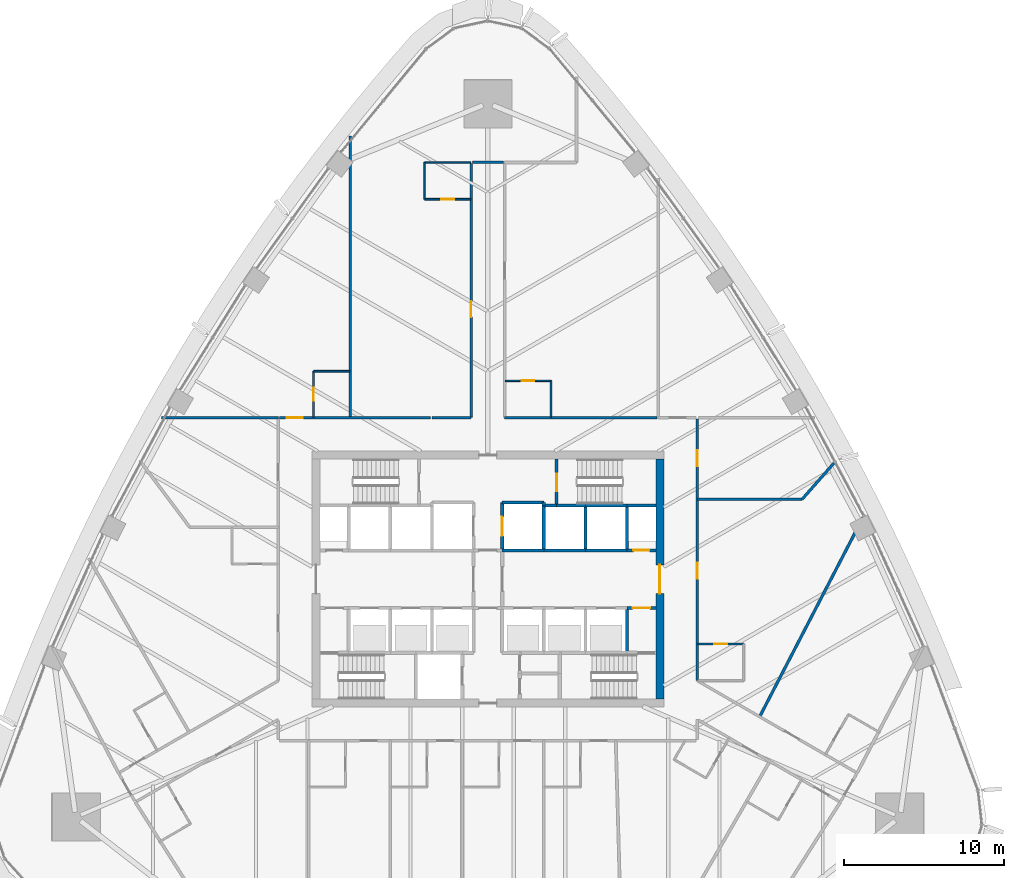
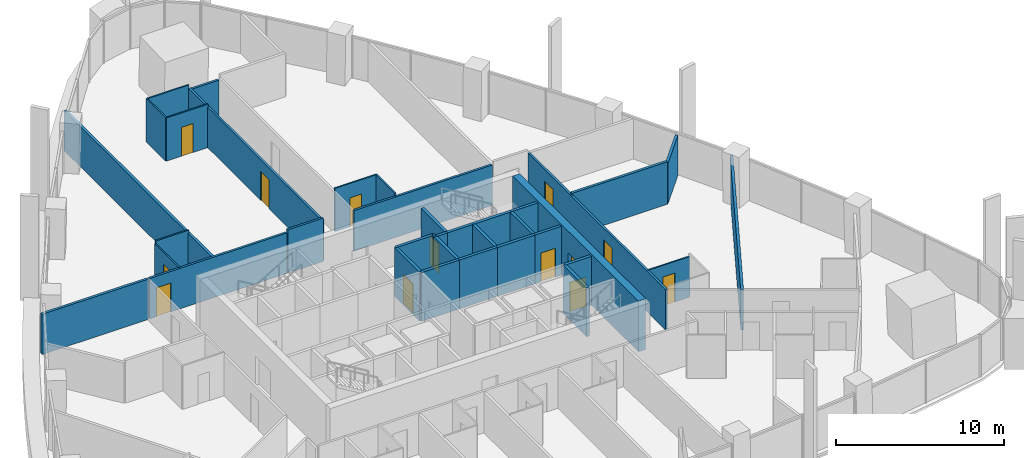
# One storey, part 13 of 22: 37 walls, 13 doors, 13 openings.
"""IFC4 building model written with IfcOpenShell, lengths in metres."""

from ifc_helpers import new_model, si_unit, direction, frame, frame_2d, origin, place, context, subcontext, project, spatial, rectangle, extrude, material, layer, layer_set, type_object, element, fill, save


model = new_model("IFC4")

# Units and contexts
model_context = context("Model", 3, precision=1e-05, world=origin(), true_north=direction((0.0, 1.0)))
body_context = subcontext(model_context, "Body", "Model", "MODEL_VIEW")
ifc_project = project(units=[si_unit("LENGTHUNIT", "METRE"), si_unit("AREAUNIT", "SQUARE_METRE"), si_unit("VOLUMEUNIT", "CUBIC_METRE"), si_unit("PLANEANGLEUNIT", "RADIAN"), si_unit("MASSUNIT", "GRAM", prefix="KILO")], contexts=[model_context])

# Site, building, storey
site_placement = place(None, origin())
site = spatial("IfcSite", under=ifc_project, at=site_placement, CompositionType="ELEMENT")
building_placement = place(site_placement, origin())
building = spatial("IfcBuilding", under=site, at=building_placement, Name="Sierra Prisma Convention Tower", CompositionType="ELEMENT")
storey_placement = place(building_placement, frame((0.0, 0.0, 96.10009765625)))
storey = spatial("IfcBuildingStorey", under=building, at=storey_placement, Name="L20", CompositionType="ELEMENT", Elevation=96.10009765625)

# Wall, opening, door
ifc_material_1 = material(Name="Gypsum board partition", Category="gypsum")
ifc_layer_1 = layer(ifc_material_1, 0.10009765625)
ifc_layer_set_1 = layer_set([ifc_layer_1], Name="Bathroom partition 100")
wall_type_1 = type_object("IfcWallType", Name="Bathroom partition 100", PredefinedType="PARTITIONING", material=ifc_layer_set_1)
wall_1_placement = place(storey_placement, frame((-10.89990234375, 10.1298828125, 0.0), z_axis=(0.0, 0.0, 1.0), x_axis=(0.0, 1.0, 0.0)))
wall_1 = element("IfcWall", 1, at=wall_1_placement, inside=storey, type_object=wall_type_1, Name="Partition L20 bath 9", PredefinedType="PARTITIONING", context=body_context, shape_type="SweptSolid", body=[
    extrude(rectangle(XDim=2.8701171875, YDim=0.10009765625, at=frame_2d((1.43505859375, 0.0))), origin(), (0.0, 0.0, 1.0), 2.947021484375),
])
opening_1_placement = place(wall_1_placement, frame((1.034912109375, 0.0, 0.0)))
opening_1 = element("IfcOpeningElement", 2, at=opening_1_placement, cuts=wall_1, Name="Opening L20-D003", PredefinedType="OPENING", context=body_context, shape_type="SweptSolid", body=[
    extrude(rectangle(XDim=0.800048828125, YDim=2.10009765625, at=frame_2d((0.39990234375, 1.050048828125))), frame((0.0, 0.050048828125, 0.0), z_axis=(0.0, -1.0, 0.0), x_axis=(1.0, 0.0, 0.0)), (0.0, 0.0, 1.0), 0.10009765625),
])
ifc_material_2 = material(Name="Solid core timber door leaf", Category="wood")
door_type_1 = type_object("IfcDoorType", Name="Door 800x2100 plain", OperationType="SINGLE_SWING_LEFT", PredefinedType="DOOR", material=ifc_material_2)
door_1_placement = place(opening_1_placement, origin())
door_1 = element("IfcDoor", 3, at=door_1_placement, inside=storey, type_object=door_type_1, Name="Door L20 8", OperationType="SINGLE_SWING_RIGHT", OverallHeight=2.10009765625, OverallWidth=0.800048828125, PredefinedType="DOOR", context=body_context, shape_type="SweptSolid", body=[
    extrude(rectangle(XDim=0.800048828125, YDim=2.10009765625, at=frame_2d((0.39990234375, 1.050048828125))), frame((0.0, 0.02490234375, 0.0), z_axis=(0.0, -1.0, 0.0), x_axis=(1.0, 0.0, 0.0)), (0.0, 0.0, 1.0), 0.050048828125),
])
fill(opening_1, door_1)

# Wall
wall_2_placement = place(storey_placement, frame((-10.89990234375, 13.0, 0.0), z_axis=(0.0, 0.0, 1.0), x_axis=(1.0, 0.0, 0.0)))
element("IfcWall", 4, at=wall_2_placement, inside=storey, type_object=wall_type_1, Name="Partition L20 bath 10", PredefinedType="PARTITIONING", context=body_context, shape_type="SweptSolid", body=[
    extrude(rectangle(XDim=2.27001953125, YDim=0.10009765625, at=frame_2d((1.135009765625, 0.0))), origin(), (0.0, 0.0, 1.0), 3.14990234375),
])

# Wall, opening, door
wall_3_placement = place(storey_placement, frame((-1.080078125, 23.759033203125, 0.0), z_axis=(0.0, 0.0, 1.0), x_axis=(-1.0, 0.0, 0.0)))
wall_3 = element("IfcWall", 5, at=wall_3_placement, inside=storey, type_object=wall_type_1, Name="Partition L20 bath 15", PredefinedType="PARTITIONING", context=body_context, shape_type="SweptSolid", body=[
    extrude(rectangle(XDim=2.869873046875, YDim=0.10009765625, at=frame_2d((1.43505859375, 0.0))), origin(), (0.0, 0.0, 1.0), 3.14990234375),
])
opening_2_placement = place(wall_3_placement, frame((1.034912109375, 0.0, 0.0)))
opening_2 = element("IfcOpeningElement", 6, at=opening_2_placement, cuts=wall_3, Name="Opening L20-D002", PredefinedType="OPENING", context=body_context, shape_type="SweptSolid", body=[
    extrude(rectangle(XDim=0.800048828125, YDim=2.10009765625, at=frame_2d((0.39990234375, 1.050048828125))), frame((0.0, 0.050048828125, 0.0), z_axis=(0.0, -1.0, 0.0), x_axis=(1.0, 0.0, 0.0)), (0.0, 0.0, 1.0), 0.10009765625),
])
door_2_placement = place(opening_2_placement, origin())
door_2 = element("IfcDoor", 7, at=door_2_placement, inside=storey, type_object=door_type_1, Name="Door L20 6", OperationType="SINGLE_SWING_RIGHT", OverallHeight=2.10009765625, OverallWidth=0.800048828125, PredefinedType="DOOR", context=body_context, shape_type="SweptSolid", body=[
    extrude(rectangle(XDim=0.800048828125, YDim=2.10009765625, at=frame_2d((0.39990234375, 1.050048828125))), frame((0.0, 0.02490234375, 0.0), z_axis=(0.0, -1.0, 0.0), x_axis=(1.0, 0.0, 0.0)), (0.0, 0.0, 1.0), 0.050048828125),
])
fill(opening_2, door_2)

# Walls
wall_4_placement = place(storey_placement, frame((-3.949951171875, 23.759033203125, 0.0), z_axis=(0.0, 0.0, 1.0), x_axis=(0.0, 1.0, 0.0)))
element("IfcWall", 8, at=wall_4_placement, inside=storey, type_object=wall_type_1, Name="Partition L20 bath 16", PredefinedType="PARTITIONING", context=body_context, shape_type="SweptSolid", body=[
    extrude(rectangle(XDim=2.300048828125, YDim=0.10009765625, at=frame_2d((1.14990234375, 0.0))), origin(), (0.0, 0.0, 1.0), 3.14990234375),
])
wall_5_placement = place(storey_placement, frame((-3.949951171875, 26.05908203125, 0.0), z_axis=(0.0, 0.0, 1.0), x_axis=(1.0, 0.0, 0.0)))
element("IfcWall", 9, at=wall_5_placement, inside=storey, type_object=wall_type_1, Name="Partition L20 bath 17", PredefinedType="PARTITIONING", context=body_context, shape_type="SweptSolid", body=[
    extrude(rectangle(XDim=2.869873046875, YDim=0.10009765625, at=frame_2d((1.43505859375, 0.0))), origin(), (0.0, 0.0, 1.0), 3.14990234375),
])

# Wall, opening, door
wall_6_placement = place(storey_placement, frame((1.080078125, 12.39990234375, 0.0), z_axis=(0.0, 0.0, 1.0), x_axis=(1.0, 0.0, 0.0)))
wall_6 = element("IfcWall", 10, at=wall_6_placement, inside=storey, type_object=wall_type_1, Name="Partition L20 bath 18", PredefinedType="PARTITIONING", context=body_context, shape_type="SweptSolid", body=[
    extrude(rectangle(XDim=2.869873046875, YDim=0.10009765625, at=frame_2d((1.43505859375, 0.0))), origin(), (0.0, 0.0, 1.0), 3.14990234375),
])
opening_3_placement = place(wall_6_placement, frame((1.034912109375, 0.0, 0.0)))
opening_3 = element("IfcOpeningElement", 11, at=opening_3_placement, cuts=wall_6, Name="Opening L20-D001", PredefinedType="OPENING", context=body_context, shape_type="SweptSolid", body=[
    extrude(rectangle(XDim=0.800048828125, YDim=2.10009765625, at=frame_2d((0.39990234375, 1.050048828125))), frame((0.0, 0.050048828125, 0.0), z_axis=(0.0, -1.0, 0.0), x_axis=(1.0, 0.0, 0.0)), (0.0, 0.0, 1.0), 0.10009765625),
])
door_3_placement = place(opening_3_placement, origin())
door_3 = element("IfcDoor", 12, at=door_3_placement, inside=storey, type_object=door_type_1, Name="Door L20 4", OperationType="SINGLE_SWING_LEFT", OverallHeight=2.10009765625, OverallWidth=0.800048828125, PredefinedType="DOOR", context=body_context, shape_type="SweptSolid", body=[
    extrude(rectangle(XDim=0.800048828125, YDim=2.10009765625, at=frame_2d((0.39990234375, 1.050048828125))), frame((0.0, 0.02490234375, 0.0), z_axis=(0.0, -1.0, 0.0), x_axis=(1.0, 0.0, 0.0)), (0.0, 0.0, 1.0), 0.050048828125),
])
fill(opening_3, door_3)

# Wall
wall_7_placement = place(storey_placement, frame((3.949951171875, 12.39990234375, 0.0), z_axis=(0.0, 0.0, 1.0), x_axis=(0.0, -1.0, 0.0)))
element("IfcWall", 13, at=wall_7_placement, inside=storey, type_object=wall_type_1, Name="Partition L20 bath 19", PredefinedType="PARTITIONING", context=body_context, shape_type="SweptSolid", body=[
    extrude(rectangle(XDim=2.27001953125, YDim=0.10009765625, at=frame_2d((1.135009765625, 0.0))), origin(), (0.0, 0.0, 1.0), 3.14990234375),
])

# Wall, opening, door
wall_8_placement = place(storey_placement, frame((13.1298828125, -4.05078125, 0.0), z_axis=(0.0, 0.0, 1.0), x_axis=(1.0, 0.0, 0.0)))
wall_8 = element("IfcWall", 14, at=wall_8_placement, inside=storey, type_object=wall_type_1, Name="Partition L20 bath 25", PredefinedType="PARTITIONING", context=body_context, shape_type="SweptSolid", body=[
    extrude(rectangle(XDim=2.8701171875, YDim=0.10009765625, at=frame_2d((1.43505859375, 0.0))), origin(), (0.0, 0.0, 1.0), 2.947021484375),
])
opening_4_placement = place(wall_8_placement, frame((1.034912109375, 0.0, 0.0)))
opening_4 = element("IfcOpeningElement", 15, at=opening_4_placement, cuts=wall_8, Name="Opening L20-D014", PredefinedType="OPENING", context=body_context, shape_type="SweptSolid", body=[
    extrude(rectangle(XDim=0.800048828125, YDim=2.10009765625, at=frame_2d((0.39990234375, 1.050048828125))), frame((0.0, 0.050048828125, 0.0), z_axis=(0.0, -1.0, 0.0), x_axis=(1.0, 0.0, 0.0)), (0.0, 0.0, 1.0), 0.10009765625),
])
door_4_placement = place(opening_4_placement, origin())
door_4 = element("IfcDoor", 16, at=door_4_placement, inside=storey, type_object=door_type_1, Name="Door L20 33", OperationType="SINGLE_SWING_LEFT", OverallHeight=2.10009765625, OverallWidth=0.800048828125, PredefinedType="DOOR", context=body_context, shape_type="SweptSolid", body=[
    extrude(rectangle(XDim=0.800048828125, YDim=2.10009765625, at=frame_2d((0.39990234375, 1.050048828125))), frame((0.0, 0.02490234375, 0.0), z_axis=(0.0, -1.0, 0.0), x_axis=(1.0, 0.0, 0.0)), (0.0, 0.0, 1.0), 0.050048828125),
])
fill(opening_4, door_4)

# Walls
ifc_material_3 = material(Name="Concrete C30/37", Category="concrete")
ifc_layer_2 = layer(ifc_material_3, 0.199951171875)
ifc_layer_set_2 = layer_set([ifc_layer_2], Name="Core wall RC 200 C30/37")
wall_type_2 = type_object("IfcWallType", Name="Core wall RC 200 C30/37", PredefinedType="SOLIDWALL", material=ifc_layer_set_2)
wall_9_placement = place(storey_placement, frame((3.5, 1.800048828125, 0.0), z_axis=(0.0, 0.0, 1.0), x_axis=(-1.0, 0.0, 0.0)))
element("IfcWall", 17, at=wall_9_placement, inside=storey, type_object=wall_type_2, Name="Core wall L20 39", PredefinedType="SOLIDWALL", context=body_context, shape_type="SweptSolid", body=[
    extrude(rectangle(XDim=2.60009765625, YDim=0.199951171875, at=frame_2d((1.300048828125, 0.0))), origin(), (0.0, 0.0, 1.0), 3.5498046875),
])
wall_10_placement = place(storey_placement, frame((3.5, 4.60009765625, 0.0), z_axis=(0.0, 0.0, 1.0), x_axis=(0.0, 1.0, 0.0)))
element("IfcWall", 18, at=wall_10_placement, inside=storey, type_object=wall_type_2, Name="Core wall L20 40", PredefinedType="SOLIDWALL", context=body_context, shape_type="SweptSolid", body=[
    extrude(rectangle(XDim=0.199951171875, YDim=0.199951171875, at=frame_2d((0.10009765625, 0.0))), origin(), (0.0, 0.0, 1.0), 3.5498046875),
])
wall_11_placement = place(storey_placement, frame((3.5, 4.800048828125, 0.0), z_axis=(0.0, 0.0, 1.0), x_axis=(-1.0, 0.0, 0.0)))
element("IfcWall", 19, at=wall_11_placement, inside=storey, type_object=wall_type_2, Name="Core wall L20 41", PredefinedType="SOLIDWALL", context=body_context, shape_type="SweptSolid", body=[
    extrude(rectangle(XDim=2.60009765625, YDim=0.199951171875, at=frame_2d((1.300048828125, 0.0))), origin(), (0.0, 0.0, 1.0), 3.5498046875),
])

# Wall, opening, door
wall_12_placement = place(storey_placement, frame((0.89990234375, 4.800048828125, 0.0), z_axis=(0.0, 0.0, 1.0), x_axis=(0.0, -1.0, 0.0)))
wall_12 = element("IfcWall", 20, at=wall_12_placement, inside=storey, type_object=wall_type_2, Name="Core wall L20 42", PredefinedType="SOLIDWALL", context=body_context, shape_type="SweptSolid", body=[
    extrude(rectangle(XDim=3.0, YDim=0.199951171875, at=frame_2d((1.5, 0.0))), origin(), (0.0, 0.0, 1.0), 3.5498046875),
])
opening_5_placement = place(wall_12_placement, frame((0.89990234375, 0.0, 0.0)))
opening_5 = element("IfcOpeningElement", 21, at=opening_5_placement, cuts=wall_12, Name="Opening L20-D022", PredefinedType="OPENING", context=body_context, shape_type="SweptSolid", body=[
    extrude(rectangle(XDim=1.199951171875, YDim=2.10009765625, at=frame_2d((0.60009765625, 1.050048828125))), frame((0.0, 0.10009765625, 0.0), z_axis=(0.0, -1.0, 0.0), x_axis=(1.0, 0.0, 0.0)), (0.0, 0.0, 1.0), 0.199951171875),
])
ifc_material_4 = material(Name="Steel fire door leaf", Category="steel")
door_type_2 = type_object("IfcDoorType", Name="Door 1200x2100 EI 90 sliding lift landing", OperationType="SLIDING_TO_LEFT", PredefinedType="DOOR", material=ifc_material_4)
door_5_placement = place(opening_5_placement, origin())
door_5 = element("IfcDoor", 22, at=door_5_placement, inside=storey, type_object=door_type_2, Name="Door L20 41", OperationType="SLIDING_TO_RIGHT", OverallHeight=2.10009765625, OverallWidth=1.199951171875, PredefinedType="DOOR", context=body_context, shape_type="SweptSolid", body=[
    extrude(rectangle(XDim=1.199951171875, YDim=2.10009765625, at=frame_2d((0.60009765625, 1.050048828125))), frame((0.0, 0.02490234375, 0.0), z_axis=(0.0, -1.0, 0.0), x_axis=(1.0, 0.0, 0.0)), (0.0, 0.0, 1.0), 0.050048828125),
])
fill(opening_5, door_5)

# Walls
wall_13_placement = place(storey_placement, frame((6.10009765625, 1.800048828125, 0.0), z_axis=(0.0, 0.0, 1.0), x_axis=(-1.0, 0.0, 0.0)))
element("IfcWall", 23, at=wall_13_placement, inside=storey, type_object=wall_type_2, Name="Core wall L20 50", PredefinedType="SOLIDWALL", context=body_context, shape_type="SweptSolid", body=[
    extrude(rectangle(XDim=2.60009765625, YDim=0.199951171875, at=frame_2d((1.300048828125, 0.0))), origin(), (0.0, 0.0, 1.0), 3.5498046875),
])
wall_14_placement = place(storey_placement, frame((3.5, 1.800048828125, 0.0), z_axis=(0.0, 0.0, 1.0), x_axis=(0.0, 1.0, 0.0)))
element("IfcWall", 24, at=wall_14_placement, inside=storey, type_object=wall_type_2, Name="Core wall L20 51", PredefinedType="SOLIDWALL", context=body_context, shape_type="SweptSolid", body=[
    extrude(rectangle(XDim=2.800048828125, YDim=0.199951171875, at=frame_2d((1.39990234375, 0.0))), origin(), (0.0, 0.0, 1.0), 3.5498046875),
])
wall_15_placement = place(storey_placement, frame((4.300048828125, 4.60009765625, 0.0), z_axis=(0.0, 0.0, 1.0), x_axis=(-1.0, 0.0, 0.0)))
element("IfcWall", 25, at=wall_15_placement, inside=storey, type_object=wall_type_2, Name="Core wall L20 52", PredefinedType="SOLIDWALL", context=body_context, shape_type="SweptSolid", body=[
    extrude(rectangle(XDim=0.800048828125, YDim=0.199951171875, at=frame_2d((0.39990234375, 0.0))), origin(), (0.0, 0.0, 1.0), 3.5498046875),
])
wall_16_placement = place(storey_placement, frame((6.10009765625, 4.60009765625, 0.0), z_axis=(0.0, 0.0, 1.0), x_axis=(-1.0, 0.0, 0.0)))
element("IfcWall", 26, at=wall_16_placement, inside=storey, type_object=wall_type_2, Name="Core wall L20 53", PredefinedType="SOLIDWALL", context=body_context, shape_type="SweptSolid", body=[
    extrude(rectangle(XDim=1.800048828125, YDim=0.199951171875, at=frame_2d((0.89990234375, 0.0))), origin(), (0.0, 0.0, 1.0), 3.5498046875),
])

# Wall, opening, door
wall_17_placement = place(storey_placement, frame((4.300048828125, 7.5, 0.0), z_axis=(0.0, 0.0, 1.0), x_axis=(0.0, -1.0, 0.0)))
wall_17 = element("IfcWall", 27, at=wall_17_placement, inside=storey, type_object=wall_type_2, Name="Core wall L20 54", PredefinedType="SOLIDWALL", context=body_context, shape_type="SweptSolid", body=[
    extrude(rectangle(XDim=2.89990234375, YDim=0.199951171875, at=frame_2d((1.449951171875, 0.0))), origin(), (0.0, 0.0, 1.0), 3.5498046875),
])
opening_6_placement = place(wall_17_placement, frame((0.89990234375, 0.0, 0.0)))
opening_6 = element("IfcOpeningElement", 28, at=opening_6_placement, cuts=wall_17, Name="Opening L20-D035", PredefinedType="OPENING", context=body_context, shape_type="SweptSolid", body=[
    extrude(rectangle(XDim=1.10009765625, YDim=2.10009765625, at=frame_2d((0.550048828125, 1.050048828125))), frame((0.0, 0.10009765625, 0.0), z_axis=(0.0, -1.0, 0.0), x_axis=(1.0, 0.0, 0.0)), (0.0, 0.0, 1.0), 0.199951171875),
])
ifc_material_5 = material(Name="Steel fire door leaf", Category="steel")
door_type_3 = type_object("IfcDoorType", Name="Door 1100x2100 FD90S", OperationType="SINGLE_SWING_LEFT", PredefinedType="DOOR", material=ifc_material_5)
door_6_placement = place(opening_6_placement, origin())
door_6 = element("IfcDoor", 29, at=door_6_placement, inside=storey, type_object=door_type_3, Name="Door L20 54", OperationType="SINGLE_SWING_RIGHT", OverallHeight=2.10009765625, OverallWidth=1.10009765625, PredefinedType="DOOR", context=body_context, shape_type="SweptSolid", body=[
    extrude(rectangle(XDim=1.10009765625, YDim=2.10009765625, at=frame_2d((0.550048828125, 1.050048828125))), frame((0.0, 0.02490234375, 0.0), z_axis=(0.0, -1.0, 0.0), x_axis=(1.0, 0.0, 0.0)), (0.0, 0.0, 1.0), 0.050048828125),
])
fill(opening_6, door_6)

# Walls
wall_18_placement = place(storey_placement, frame((8.699951171875, 1.800048828125, 0.0), z_axis=(0.0, 0.0, 1.0), x_axis=(-1.0, 0.0, 0.0)))
element("IfcWall", 30, at=wall_18_placement, inside=storey, type_object=wall_type_2, Name="Core wall L20 61", PredefinedType="SOLIDWALL", context=body_context, shape_type="SweptSolid", body=[
    extrude(rectangle(XDim=2.599853515625, YDim=0.199951171875, at=frame_2d((1.2998046875, 0.0))), origin(), (0.0, 0.0, 1.0), 3.5498046875),
])
wall_19_placement = place(storey_placement, frame((6.10009765625, 1.800048828125, 0.0), z_axis=(0.0, 0.0, 1.0), x_axis=(0.0, 1.0, 0.0)))
element("IfcWall", 31, at=wall_19_placement, inside=storey, type_object=wall_type_2, Name="Core wall L20 62", PredefinedType="SOLIDWALL", context=body_context, shape_type="SweptSolid", body=[
    extrude(rectangle(XDim=2.800048828125, YDim=0.199951171875, at=frame_2d((1.39990234375, 0.0))), origin(), (0.0, 0.0, 1.0), 3.5498046875),
])
wall_20_placement = place(storey_placement, frame((8.699951171875, 4.60009765625, 0.0), z_axis=(0.0, 0.0, 1.0), x_axis=(-1.0, 0.0, 0.0)))
element("IfcWall", 32, at=wall_20_placement, inside=storey, type_object=wall_type_2, Name="Core wall L20 63", PredefinedType="SOLIDWALL", context=body_context, shape_type="SweptSolid", body=[
    extrude(rectangle(XDim=2.599853515625, YDim=0.199951171875, at=frame_2d((1.2998046875, 0.0))), origin(), (0.0, 0.0, 1.0), 3.5498046875),
])
wall_21_placement = place(storey_placement, frame((8.699951171875, -1.800048828125, 0.0), z_axis=(0.0, 0.0, 1.0), x_axis=(0.0, -1.0, 0.0)))
element("IfcWall", 33, at=wall_21_placement, inside=storey, type_object=wall_type_2, Name="Core wall L20 65", PredefinedType="SOLIDWALL", context=body_context, shape_type="SweptSolid", body=[
    extrude(rectangle(XDim=2.800048828125, YDim=0.199951171875, at=frame_2d((1.39990234375, 0.0))), origin(), (0.0, 0.0, 1.0), 3.5498046875),
])

# Wall, opening, door
wall_22_placement = place(storey_placement, frame((8.699951171875, -1.800048828125, 0.0), z_axis=(0.0, 0.0, 1.0), x_axis=(1.0, 0.0, 0.0)))
wall_22 = element("IfcWall", 34, at=wall_22_placement, inside=storey, type_object=wall_type_2, Name="Core wall L20 66", PredefinedType="SOLIDWALL", context=body_context, shape_type="SweptSolid", body=[
    extrude(rectangle(XDim=1.800048828125, YDim=0.199951171875, at=frame_2d((0.89990234375, 0.0))), origin(), (0.0, 0.0, 1.0), 3.5498046875),
])
opening_7_placement = place(wall_22_placement, frame((0.35009765625, 0.0, 0.0)))
opening_7 = element("IfcOpeningElement", 35, at=opening_7_placement, cuts=wall_22, Name="Opening L20-D027", PredefinedType="OPENING", context=body_context, shape_type="SweptSolid", body=[
    extrude(rectangle(XDim=1.10009765625, YDim=2.10009765625, at=frame_2d((0.550048828125, 1.050048828125))), frame((0.0, 0.10009765625, 0.0), z_axis=(0.0, -1.0, 0.0), x_axis=(1.0, 0.0, 0.0)), (0.0, 0.0, 1.0), 0.199951171875),
])
door_7_placement = place(opening_7_placement, origin())
door_7 = element("IfcDoor", 36, at=door_7_placement, inside=storey, type_object=door_type_3, Name="Door L20 46", OperationType="SINGLE_SWING_RIGHT", OverallHeight=2.10009765625, OverallWidth=1.10009765625, PredefinedType="DOOR", context=body_context, shape_type="SweptSolid", body=[
    extrude(rectangle(XDim=1.10009765625, YDim=2.10009765625, at=frame_2d((0.550048828125, 1.050048828125))), frame((0.0, 0.02490234375, 0.0), z_axis=(0.0, -1.0, 0.0), x_axis=(1.0, 0.0, 0.0)), (0.0, 0.0, 1.0), 0.050048828125),
])
fill(opening_7, door_7)

wall_23_placement = place(storey_placement, frame((10.5, 1.800048828125, 0.0), z_axis=(0.0, 0.0, 1.0), x_axis=(-1.0, 0.0, 0.0)))
wall_23 = element("IfcWall", 37, at=wall_23_placement, inside=storey, type_object=wall_type_2, Name="Core wall L20 67", PredefinedType="SOLIDWALL", context=body_context, shape_type="SweptSolid", body=[
    extrude(rectangle(XDim=1.800048828125, YDim=0.199951171875, at=frame_2d((0.89990234375, 0.0))), origin(), (0.0, 0.0, 1.0), 3.5498046875),
])
opening_8_placement = place(wall_23_placement, frame((0.39990234375, 0.0, 0.0)))
opening_8 = element("IfcOpeningElement", 38, at=opening_8_placement, cuts=wall_23, Name="Opening L20-D031", PredefinedType="OPENING", context=body_context, shape_type="SweptSolid", body=[
    extrude(rectangle(XDim=1.0, YDim=2.10009765625, at=frame_2d((0.5, 1.050048828125))), frame((0.0, 0.10009765625, 0.0), z_axis=(0.0, -1.0, 0.0), x_axis=(1.0, 0.0, 0.0)), (0.0, 0.0, 1.0), 0.199951171875),
])
ifc_material_6 = material(Name="Steel fire door leaf", Category="steel")
door_type_4 = type_object("IfcDoorType", Name="Door 1000x2100 FD60S", OperationType="SINGLE_SWING_LEFT", PredefinedType="DOOR", material=ifc_material_6)
door_8_placement = place(opening_8_placement, origin())
door_8 = element("IfcDoor", 39, at=door_8_placement, inside=storey, type_object=door_type_4, Name="Door L20 50", OperationType="SINGLE_SWING_RIGHT", OverallHeight=2.10009765625, OverallWidth=1.0, PredefinedType="DOOR", context=body_context, shape_type="SweptSolid", body=[
    extrude(rectangle(XDim=1.0, YDim=2.10009765625, at=frame_2d((0.5, 1.050048828125))), frame((0.0, 0.02490234375, 0.0), z_axis=(0.0, -1.0, 0.0), x_axis=(1.0, 0.0, 0.0)), (0.0, 0.0, 1.0), 0.050048828125),
])
fill(opening_8, door_8)

# Walls
wall_24_placement = place(storey_placement, frame((8.699951171875, 4.60009765625, 0.0), z_axis=(0.0, 0.0, 1.0), x_axis=(0.0, -1.0, 0.0)))
element("IfcWall", 40, at=wall_24_placement, inside=storey, type_object=wall_type_2, Name="Core wall L20 68", PredefinedType="SOLIDWALL", context=body_context, shape_type="SweptSolid", body=[
    extrude(rectangle(XDim=2.800048828125, YDim=0.199951171875, at=frame_2d((1.39990234375, 0.0))), origin(), (0.0, 0.0, 1.0), 3.5498046875),
])
wall_25_placement = place(storey_placement, frame((10.5, 4.60009765625, 0.0), z_axis=(0.0, 0.0, 1.0), x_axis=(-1.0, 0.0, 0.0)))
element("IfcWall", 41, at=wall_25_placement, inside=storey, type_object=wall_type_2, Name="Core wall L20 69", PredefinedType="SOLIDWALL", context=body_context, shape_type="SweptSolid", body=[
    extrude(rectangle(XDim=1.800048828125, YDim=0.199951171875, at=frame_2d((0.89990234375, 0.0))), origin(), (0.0, 0.0, 1.0), 3.5498046875),
])

# Wall, opening, door
ifc_material_7 = material(Name="Concrete C60/75", Category="concrete")
ifc_layer_3 = layer(ifc_material_7, 0.5)
ifc_layer_set_3 = layer_set([ifc_layer_3], Name="Core wall RC 500 C60/75")
wall_type_3 = type_object("IfcWallType", Name="Core wall RC 500 C60/75", PredefinedType="SHEAR", material=ifc_layer_set_3)
wall_26_placement = place(storey_placement, frame((10.75, -7.5, 0.0), z_axis=(0.0, 0.0, 1.0), x_axis=(0.0, 1.0, 0.0)))
wall_26 = element("IfcWall", 42, at=wall_26_placement, inside=storey, type_object=wall_type_3, Name="Core wall E L20", PredefinedType="SHEAR", context=body_context, shape_type="SweptSolid", body=[
    extrude(rectangle(XDim=15.0, YDim=0.5, at=frame_2d((7.5, 0.0))), origin(), (0.0, 0.0, 1.0), 3.699951171875),
])
opening_9_placement = place(wall_26_placement, frame((6.60009765625, 0.0, 0.0)))
opening_9 = element("IfcOpeningElement", 43, at=opening_9_placement, cuts=wall_26, Name="Opening L20-D057", PredefinedType="OPENING", context=body_context, shape_type="SweptSolid", body=[
    extrude(rectangle(XDim=1.800048828125, YDim=2.10009765625, at=frame_2d((0.89990234375, 1.050048828125))), frame((0.0, 0.25, 0.0), z_axis=(0.0, -1.0, 0.0), x_axis=(1.0, 0.0, 0.0)), (0.0, 0.0, 1.0), 0.5),
])
ifc_material_8 = material(Name="Steel fire door leaf", Category="steel")
door_type_5 = type_object("IfcDoorType", Name="Door 1800x2100 FD60S", OperationType="DOUBLE_DOOR_SINGLE_SWING", PredefinedType="DOOR", material=ifc_material_8)
door_9_placement = place(opening_9_placement, origin())
door_9 = element("IfcDoor", 44, at=door_9_placement, inside=storey, type_object=door_type_5, Name="Door L20 58", OperationType="DOUBLE_DOOR_SINGLE_SWING", OverallHeight=2.10009765625, OverallWidth=1.800048828125, PredefinedType="DOOR", context=body_context, shape_type="SweptSolid", body=[
    extrude(rectangle(XDim=1.800048828125, YDim=2.10009765625, at=frame_2d((0.89990234375, 1.050048828125))), frame((0.0, 0.02490234375, 0.0), z_axis=(0.0, -1.0, 0.0), x_axis=(1.0, 0.0, 0.0)), (0.0, 0.0, 1.0), 0.050048828125),
])
fill(opening_9, door_9)

ifc_material_9 = material(Name="Gypsum board partition", Category="gypsum")
ifc_layer_4 = layer(ifc_material_9, 0.14990234375)
ifc_layer_set_4 = layer_set([ifc_layer_4], Name="Corridor wall 150 gypsum EI 60")
wall_type_4 = type_object("IfcWallType", Name="Corridor wall 150 gypsum EI 60", PredefinedType="PARTITIONING", material=ifc_layer_set_4)
wall_27_placement = place(storey_placement, frame((-3.580078125, 10.10009765625, 0.0), z_axis=(0.0, 0.0, 1.0), x_axis=(-1.0, 0.0, 0.0)))
wall_27 = element("IfcWall", 45, at=wall_27_placement, inside=storey, type_object=wall_type_4, Name="Partition L20 corr 7", PredefinedType="PARTITIONING", context=body_context, shape_type="SweptSolid", body=[
    extrude(rectangle(XDim=9.43994140625, YDim=0.14990234375, at=frame_2d((4.719970703125, 0.0))), origin(), (0.0, 0.0, 1.0), 2.947021484375),
])
opening_10_placement = place(wall_27_placement, frame((7.97998046875, 0.0, 0.0)))
opening_10 = element("IfcOpeningElement", 46, at=opening_10_placement, cuts=wall_27, Name="Opening L20-D042", PredefinedType="OPENING", context=body_context, shape_type="SweptSolid", body=[
    extrude(rectangle(XDim=1.0, YDim=2.10009765625, at=frame_2d((0.5, 1.050048828125))), frame((0.0, 0.074951171875, 0.0), z_axis=(0.0, -1.0, 0.0), x_axis=(1.0, 0.0, 0.0)), (0.0, 0.0, 1.0), 0.14990234375),
])
ifc_material_10 = material(Name="Steel fire door leaf", Category="steel")
door_type_6 = type_object("IfcDoorType", Name="Door 1000x2100 FD30S", OperationType="SINGLE_SWING_LEFT", PredefinedType="DOOR", material=ifc_material_10)
door_10_placement = place(opening_10_placement, origin())
door_10 = element("IfcDoor", 47, at=door_10_placement, inside=storey, type_object=door_type_6, Name="Door L20 7", OperationType="SINGLE_SWING_RIGHT", OverallHeight=2.10009765625, OverallWidth=1.0, PredefinedType="DOOR", context=body_context, shape_type="SweptSolid", body=[
    extrude(rectangle(XDim=1.0, YDim=2.10009765625, at=frame_2d((0.5, 1.050048828125))), frame((0.0, 0.02490234375, 0.0), z_axis=(0.0, -1.0, 0.0), x_axis=(1.0, 0.0, 0.0)), (0.0, 0.0, 1.0), 0.050048828125),
])
fill(opening_10, door_10)

wall_28_placement = place(storey_placement, frame((-1.050048828125, 25.97900390625, 0.0), z_axis=(0.0, 0.0, 1.0), x_axis=(0.0, -1.0, 0.0)))
wall_28 = element("IfcWall", 48, at=wall_28_placement, inside=storey, type_object=wall_type_4, Name="Partition L20 corr 8", PredefinedType="PARTITIONING", context=body_context, shape_type="SweptSolid", body=[
    extrude(rectangle(XDim=15.87890625, YDim=0.14990234375, at=frame_2d((7.939453125, 0.0))), origin(), (0.0, 0.0, 1.0), 2.947021484375),
])
opening_11_placement = place(wall_28_placement, frame((8.599609375, 0.0, 0.0)))
opening_11 = element("IfcOpeningElement", 49, at=opening_11_placement, cuts=wall_28, Name="Opening L20-D041", PredefinedType="OPENING", context=body_context, shape_type="SweptSolid", body=[
    extrude(rectangle(XDim=1.0, YDim=2.10009765625, at=frame_2d((0.5, 1.050048828125))), frame((0.0, 0.074951171875, 0.0), z_axis=(0.0, -1.0, 0.0), x_axis=(1.0, 0.0, 0.0)), (0.0, 0.0, 1.0), 0.14990234375),
])
door_11_placement = place(opening_11_placement, origin())
door_11 = element("IfcDoor", 50, at=door_11_placement, inside=storey, type_object=door_type_6, Name="Door L20 5", OperationType="SINGLE_SWING_RIGHT", OverallHeight=2.10009765625, OverallWidth=1.0, PredefinedType="DOOR", context=body_context, shape_type="SweptSolid", body=[
    extrude(rectangle(XDim=1.0, YDim=2.10009765625, at=frame_2d((0.5, 1.050048828125))), frame((0.0, 0.02490234375, 0.0), z_axis=(0.0, -1.0, 0.0), x_axis=(1.0, 0.0, 0.0)), (0.0, 0.0, 1.0), 0.050048828125),
])
fill(opening_11, door_11)

# Walls
wall_29_placement = place(storey_placement, frame((-1.050048828125, 10.10009765625, 0.0), z_axis=(0.0, 0.0, 1.0), x_axis=(-1.0, 0.0, 0.0)))
element("IfcWall", 51, at=wall_29_placement, inside=storey, type_object=wall_type_4, Name="Partition L20 corr 9", PredefinedType="PARTITIONING", context=body_context, shape_type="SweptSolid", body=[
    extrude(rectangle(XDim=2.449951171875, YDim=0.14990234375, at=frame_2d((1.22509765625, 0.0))), origin(), (0.0, 0.0, 1.0), 3.14990234375),
])
wall_30_placement = place(storey_placement, frame((0.969970703125, 26.05908203125, 0.0), z_axis=(0.0, 0.0, 1.0), x_axis=(-1.0, 0.0, 0.0)))
element("IfcWall", 52, at=wall_30_placement, inside=storey, type_object=wall_type_4, Name="Partition L20 corr 10", PredefinedType="PARTITIONING", context=body_context, shape_type="SweptSolid", body=[
    extrude(rectangle(XDim=1.93994140625, YDim=0.14990234375, at=frame_2d((0.969970703125, 0.0))), origin(), (0.0, 0.0, 1.0), 2.796875),
])
wall_31_placement = place(storey_placement, frame((10.570068359375, 10.10009765625, 0.0), z_axis=(0.0, 0.0, 1.0), x_axis=(-1.0, 0.0, 0.0)))
element("IfcWall", 53, at=wall_31_placement, inside=storey, type_object=wall_type_4, Name="Partition L20 corr 11", PredefinedType="PARTITIONING", context=body_context, shape_type="SweptSolid", body=[
    extrude(rectangle(XDim=9.52001953125, YDim=0.14990234375, at=frame_2d((4.760009765625, 0.0))), origin(), (0.0, 0.0, 1.0), 2.947021484375),
])

# Wall, openings, doors
wall_32_placement = place(storey_placement, frame((13.10009765625, -6.350830078125, 0.0), z_axis=(0.0, 0.0, 1.0), x_axis=(0.0, 1.0, 0.0)))
wall_32 = element("IfcWall", 54, at=wall_32_placement, inside=storey, type_object=wall_type_4, Name="Partition L20 corr 17", PredefinedType="PARTITIONING", context=body_context, shape_type="SweptSolid", body=[
    extrude(rectangle(XDim=16.370849609375, YDim=0.14990234375, at=frame_2d((8.185546875, 0.0))), origin(), (0.0, 0.0, 1.0), 2.947021484375),
])
opening_12_placement = place(wall_32_placement, frame((13.40087890625, 0.0, 0.0)))
opening_12 = element("IfcOpeningElement", 55, at=opening_12_placement, cuts=wall_32, Name="Opening L20-D038", PredefinedType="OPENING", context=body_context, shape_type="SweptSolid", body=[
    extrude(rectangle(XDim=1.0, YDim=2.10009765625, at=frame_2d((0.5, 1.050048828125))), frame((0.0, 0.074951171875, 0.0), z_axis=(0.0, -1.0, 0.0), x_axis=(1.0, 0.0, 0.0)), (0.0, 0.0, 1.0), 0.14990234375),
])
opening_13_placement = place(wall_32_placement, frame((6.37548828125, 0.0, 0.0)))
opening_13 = element("IfcOpeningElement", 56, at=opening_13_placement, cuts=wall_32, Name="Opening L20-D056", PredefinedType="OPENING", context=body_context, shape_type="SweptSolid", body=[
    extrude(rectangle(XDim=1.0, YDim=2.10009765625, at=frame_2d((0.5, 1.050048828125))), frame((0.0, 0.074951171875, 0.0), z_axis=(0.0, -1.0, 0.0), x_axis=(1.0, 0.0, 0.0)), (0.0, 0.0, 1.0), 0.14990234375),
])
door_12_placement = place(opening_12_placement, origin())
door_12 = element("IfcDoor", 57, at=door_12_placement, inside=storey, type_object=door_type_6, Name="Door L20 1", OperationType="SINGLE_SWING_RIGHT", OverallHeight=2.10009765625, OverallWidth=1.0, PredefinedType="DOOR", context=body_context, shape_type="SweptSolid", body=[
    extrude(rectangle(XDim=1.0, YDim=2.10009765625, at=frame_2d((0.5, 1.050048828125))), frame((0.0, 0.02490234375, 0.0), z_axis=(0.0, -1.0, 0.0), x_axis=(1.0, 0.0, 0.0)), (0.0, 0.0, 1.0), 0.050048828125),
])
fill(opening_12, door_12)
door_13_placement = place(opening_13_placement, origin())
door_13 = element("IfcDoor", 58, at=door_13_placement, inside=storey, type_object=door_type_6, Name="Door L20 32", OperationType="SINGLE_SWING_LEFT", OverallHeight=2.10009765625, OverallWidth=1.0, PredefinedType="DOOR", context=body_context, shape_type="SweptSolid", body=[
    extrude(rectangle(XDim=1.0, YDim=2.10009765625, at=frame_2d((0.5, 1.050048828125))), frame((0.0, 0.02490234375, 0.0), z_axis=(0.0, -1.0, 0.0), x_axis=(1.0, 0.0, 0.0)), (0.0, 0.0, 1.0), 0.050048828125),
])
fill(opening_13, door_13)

# Walls
ifc_material_11 = material(Name="Acoustic gypsum board partition", Category="gypsum")
ifc_layer_5 = layer(ifc_material_11, 0.175048828125)
ifc_layer_set_5 = layer_set([ifc_layer_5], Name="Guest room party wall 175 acoustic EI 60")
wall_type_5 = type_object("IfcWallType", Name="Guest room party wall 175 acoustic EI 60", PredefinedType="PARTITIONING", material=ifc_layer_set_5)
wall_33_placement = place(storey_placement, frame((-13.10009765625, 10.10009765625, 0.0), z_axis=(0.0, 0.0, 1.0), x_axis=(-1.0, 0.0, 0.0)))
element("IfcWall", 59, at=wall_33_placement, inside=storey, type_object=wall_type_5, Name="Partition L20 hparty 6", PredefinedType="PARTITIONING", context=body_context, shape_type="SweptSolid", body=[
    extrude(rectangle(XDim=7.314453125, YDim=0.175048828125, at=frame_2d((3.6572265625, 0.0))), origin(), (0.0, 0.0, 1.0), 2.933837890625),
])
wall_34_placement = place(storey_placement, frame((-8.60009765625, 10.10009765625, 0.0), z_axis=(0.0, 0.0, 1.0), x_axis=(0.0, 1.0, 0.0)))
element("IfcWall", 60, at=wall_34_placement, inside=storey, type_object=wall_type_5, Name="Partition L20 hparty 9", PredefinedType="PARTITIONING", context=body_context, shape_type="SweptSolid", body=[
    extrude(rectangle(XDim=17.598388671875, YDim=0.175048828125, at=frame_2d((8.79931640625, 0.0))), origin(), (0.0, 0.0, 1.0), 2.933837890625),
])
wall_35_placement = place(storey_placement, frame((13.10009765625, 5.0, 0.0), z_axis=(0.0, 0.0, 1.0), x_axis=(1.0, 0.0, 0.0)))
element("IfcWall", 61, at=wall_35_placement, inside=storey, type_object=wall_type_5, Name="Partition L20 hparty 19", PredefinedType="PARTITIONING", context=body_context, shape_type="SweptSolid", body=[
    extrude(rectangle(XDim=6.55322265625, YDim=0.175048828125, at=frame_2d((3.276611328125, 0.0))), origin(), (0.0, 0.0, 1.0), 3.093017578125),
])
wall_36_placement = place(storey_placement, frame((19.6533203125, 5.0, 0.0), z_axis=(0.0, 0.0, 1.0), x_axis=(0.661192476983, 0.750216307728, 0.0)))
element("IfcWall", 62, at=wall_36_placement, inside=storey, type_object=wall_type_5, Name="Partition L20 hparty 20", PredefinedType="PARTITIONING", context=body_context, shape_type="SweptSolid", body=[
    extrude(rectangle(XDim=3.01123046875, YDim=0.175048828125, at=frame_2d((1.505615234375, 0.0))), origin(), (0.0, 0.0, 1.0), 2.933837890625),
])
wall_37_placement = place(storey_placement, frame((16.9970703125, -8.600830078125, 0.0), z_axis=(0.0, 0.0, 1.0), x_axis=(0.460362856216, 0.887730837933, 0.0)))
element("IfcWall", 63, at=wall_37_placement, inside=storey, type_object=wall_type_5, Name="Partition L20 hparty 22", PredefinedType="PARTITIONING", context=body_context, shape_type="SweptSolid", body=[
    extrude(rectangle(XDim=14.03662109375, YDim=0.175048828125, at=frame_2d((7.018310546875, 0.0))), origin(), (0.0, 0.0, 1.0), 2.947021484375),
])

save(model, "model.ifc")
